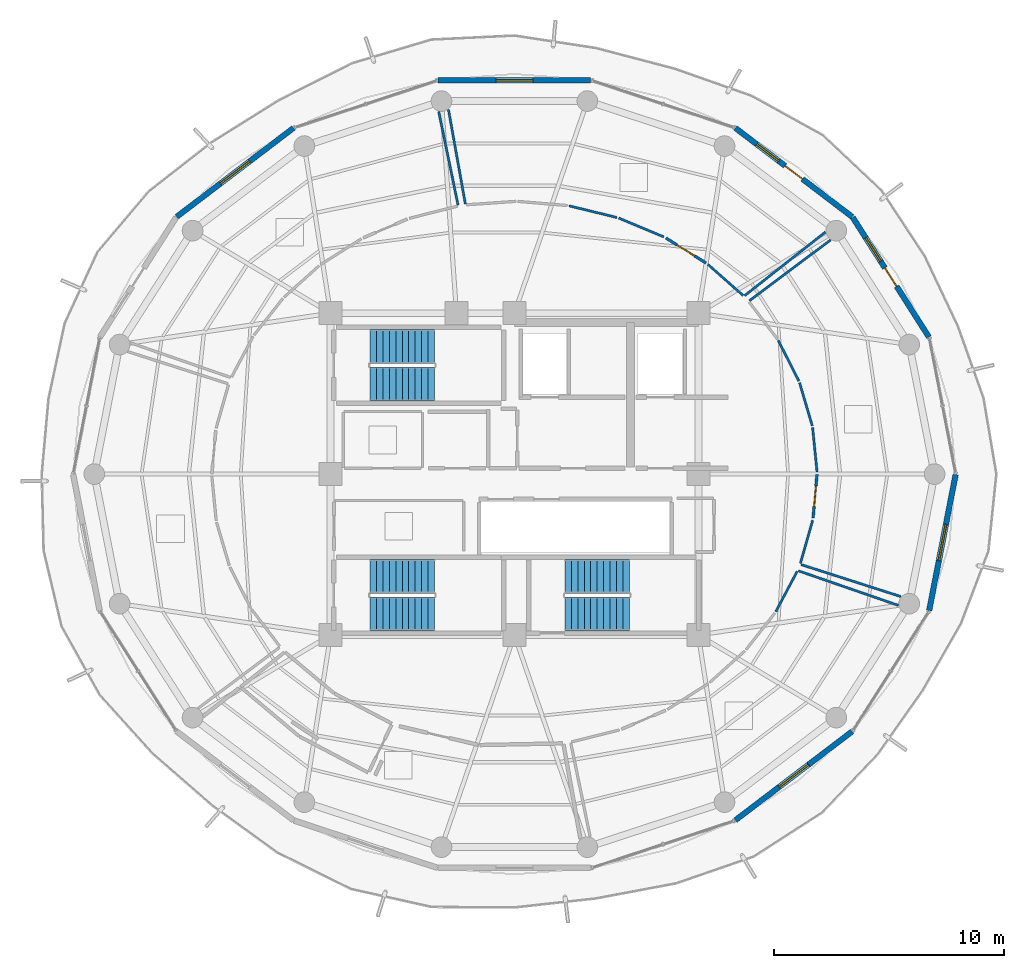
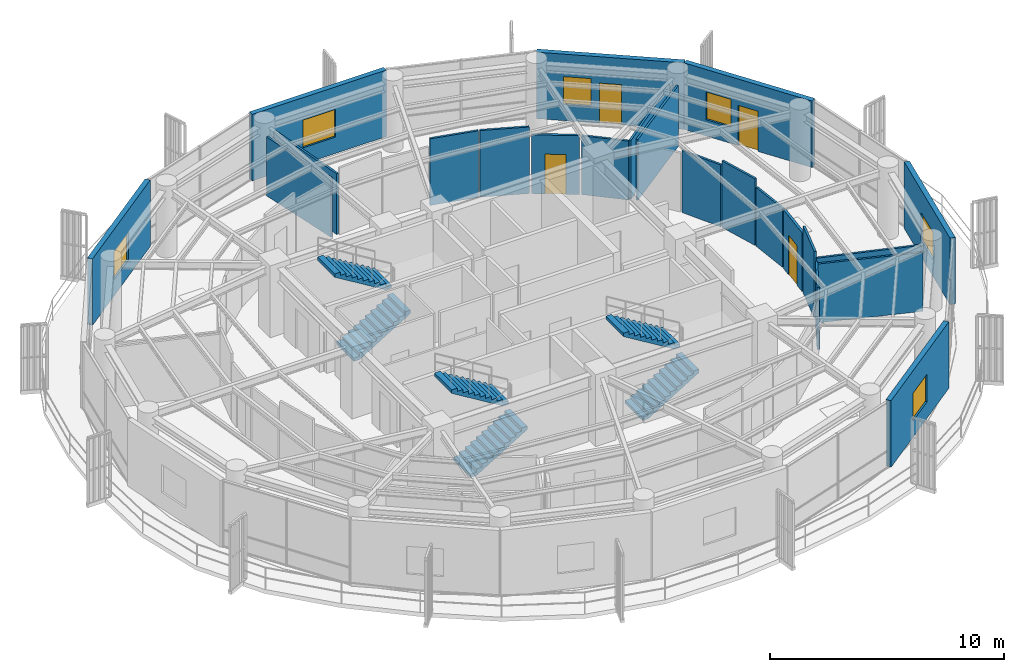
# One storey, part 18 of 23: 22 walls, 6 stair flights, 6 windows, 4 doors, 10 openings, 3 elements without a shape of their own.
"""IFC4 building model written with IfcOpenShell, lengths in metres."""

from ifc_helpers import new_model, si_unit, direction, frame, frame_2d, origin, place, context, subcontext, project, spatial, polyline, rectangle, outline, extrude, material, layer, layer_set, type_object, element, fill, aggregate, save


model = new_model("IFC4")

# Units and contexts
model_context = context("Model", 3, precision=1e-05, world=origin(), true_north=direction((0.0, 1.0)))
body_context = subcontext(model_context, "Body", "Model", "MODEL_VIEW")
ifc_project = project(units=[si_unit("LENGTHUNIT", "METRE"), si_unit("AREAUNIT", "SQUARE_METRE"), si_unit("VOLUMEUNIT", "CUBIC_METRE"), si_unit("PLANEANGLEUNIT", "RADIAN"), si_unit("MASSUNIT", "GRAM", prefix="KILO")], contexts=[model_context])

# Site, building, storey
site_placement = place(None, origin())
site = spatial("IfcSite", under=ifc_project, at=site_placement, CompositionType="ELEMENT")
building_placement = place(site_placement, origin())
building = spatial("IfcBuilding", under=site, at=building_placement, Name="Kelanora Arch Commons", CompositionType="ELEMENT")
storey_placement = place(building_placement, frame((0.0, 0.0, 282.449951171875)))
storey = spatial("IfcBuildingStorey", under=building, at=storey_placement, Name="L72", CompositionType="ELEMENT", Elevation=282.449951171875)

# Wall, openings, door, window
ifc_material_1 = material(Name="Precast concrete C40/50 upper-zone terracotta rainscreen", Category="masonry")
ifc_layer_1 = layer(ifc_material_1, 0.239990234375)
ifc_layer_set_1 = layer_set([ifc_layer_1], Name="Precast concrete C40/50 upper-zone terracotta rainscreen")
wall_type_1 = type_object("IfcWallType", Name="W-EXT-TC2", PredefinedType="SOLIDWALL", material=ifc_layer_set_1)
wall_1_placement = place(storey_placement, frame((92.033935546875, 63.9638671875, 0.0), z_axis=(0.0, 0.0, 1.0), x_axis=(-0.537271968456, 0.843409053728, 0.0)))
wall_1 = element("IfcWall", 1, at=wall_1_placement, inside=storey, type_object=wall_type_1, Name="Terracotta Exterior Wall L72-B01", PredefinedType="SOLIDWALL", context=body_context, shape_type="SweptSolid", body=[
    extrude(rectangle(XDim=6.175048828125, YDim=0.239990234375, at=frame_2d((3.08740234375, 0.0))), origin(), (0.0, 0.0, 1.0), 3.47509765625),
])
opening_1_placement = place(wall_1_placement, frame((2.613037109375, 0.0, 0.0)))
opening_1 = element("IfcOpeningElement", 2, at=opening_1_placement, cuts=wall_1, Name="Opening DB-01", PredefinedType="OPENING", context=body_context, shape_type="SweptSolid", body=[
    extrude(rectangle(XDim=0.949951171875, YDim=2.10009765625, at=frame_2d((0.47509765625, 1.050048828125))), frame((0.0, 0.1298828125, 0.0), z_axis=(0.0, -1.0, 0.0), x_axis=(1.0, 0.0, 0.0)), (0.0, 0.0, 1.0), 0.260009765625),
])
opening_2_placement = place(wall_1_placement, frame((3.9130859375, 0.0, 0.85009765625)))
opening_2 = element("IfcOpeningElement", 3, at=opening_2_placement, cuts=wall_1, Name="Opening WN-02", PredefinedType="OPENING", context=body_context, shape_type="SweptSolid", body=[
    extrude(rectangle(XDim=1.199951171875, YDim=1.449951171875, at=frame_2d((0.60009765625, 0.72509765625))), frame((0.0, 0.1298828125, 0.0), z_axis=(0.0, -1.0, 0.0), x_axis=(1.0, 0.0, 0.0)), (0.0, 0.0, 1.0), 0.260009765625),
])
ifc_material_2 = material(Name="Terracotta-aluminium thermally broken glazed balcony door", Category="masonry")
door_type_1 = type_object("IfcDoorType", Name="D-BAL-10", OperationType="NOTDEFINED", PredefinedType="DOOR", material=ifc_material_2)
door_1_placement = place(opening_1_placement, frame((0.949951171875, 0.0, 0.0), z_axis=(0.0, 0.0, 1.0), x_axis=(-1.0, 0.0, 0.0)))
door_1 = element("IfcDoor", 4, at=door_1_placement, inside=storey, type_object=door_type_1, Name="Wave Balcony Door L72-B01", OperationType="SINGLE_SWING_RIGHT", OverallHeight=2.10009765625, OverallWidth=0.949951171875, PredefinedType="DOOR", context=body_context, shape_type="SweptSolid", body=[
    extrude(rectangle(XDim=0.949951171875, YDim=2.10009765625, at=frame_2d((0.47509765625, 1.050048828125))), frame((0.0, 0.02490234375, 0.0), z_axis=(0.0, -1.0, 0.0), x_axis=(1.0, 0.0, 0.0)), (0.0, 0.0, 1.0), 0.050048828125),
])
fill(opening_1, door_1)
ifc_material_3 = material(Name="Terracotta-anodised aluminium frame with operable awning sash", Category="masonry")
window_type_1 = type_object("IfcWindowType", Name="WIN-CL-12", PartitioningType="SINGLE_PANEL", PredefinedType="WINDOW", material=ifc_material_3)
window_1_placement = place(opening_2_placement, origin())
window_1 = element("IfcWindow", 5, at=window_1_placement, inside=storey, type_object=window_type_1, Name="Co-Living Operable Window L72-B01", OverallHeight=1.449951171875, OverallWidth=1.199951171875, PartitioningType="SINGLE_PANEL", PredefinedType="WINDOW", context=body_context, shape_type="SweptSolid", body=[
    extrude(rectangle(XDim=1.199951171875, YDim=1.449951171875, at=frame_2d((0.60009765625, 0.72509765625))), frame((0.0, 0.030029296875, 0.0), z_axis=(0.0, -1.0, 0.0), x_axis=(1.0, 0.0, 0.0)), (0.0, 0.0, 1.0), 0.06005859375),
])
fill(opening_2, window_1)

wall_2_placement = place(storey_placement, frame((88.6962890625, 69.193603515625, 0.0), z_axis=(0.0, 0.0, 1.0), x_axis=(-0.796010444211, 0.605282886514, 0.0)))
wall_2 = element("IfcWall", 6, at=wall_2_placement, inside=storey, type_object=wall_type_1, Name="Terracotta Exterior Wall L72-B02", PredefinedType="SOLIDWALL", context=body_context, shape_type="SweptSolid", body=[
    extrude(rectangle(XDim=6.387451171875, YDim=0.239990234375, at=frame_2d((3.19384765625, 0.0))), origin(), (0.0, 0.0, 1.0), 3.47509765625),
])
opening_3_placement = place(wall_2_placement, frame((2.718994140625, 0.0, 0.0)))
opening_3 = element("IfcOpeningElement", 7, at=opening_3_placement, cuts=wall_2, Name="Opening DB-01", PredefinedType="OPENING", context=body_context, shape_type="SweptSolid", body=[
    extrude(rectangle(XDim=0.949951171875, YDim=2.10009765625, at=frame_2d((0.47509765625, 1.050048828125))), frame((0.0, 0.1298828125, 0.0), z_axis=(0.0, -1.0, 0.0), x_axis=(1.0, 0.0, 0.0)), (0.0, 0.0, 1.0), 0.260009765625),
])
opening_4_placement = place(wall_2_placement, frame((4.01904296875, 0.0, 0.85009765625)))
opening_4 = element("IfcOpeningElement", 8, at=opening_4_placement, cuts=wall_2, Name="Opening WN-02", PredefinedType="OPENING", context=body_context, shape_type="SweptSolid", body=[
    extrude(rectangle(XDim=1.199951171875, YDim=1.449951171875, at=frame_2d((0.60009765625, 0.72509765625))), frame((0.0, 0.1298828125, 0.0), z_axis=(0.0, -1.0, 0.0), x_axis=(1.0, 0.0, 0.0)), (0.0, 0.0, 1.0), 0.260009765625),
])
door_2_placement = place(opening_3_placement, frame((0.949951171875, 0.0, 0.0), z_axis=(0.0, 0.0, 1.0), x_axis=(-1.0, 0.0, 0.0)))
door_2 = element("IfcDoor", 9, at=door_2_placement, inside=storey, type_object=door_type_1, Name="Wave Balcony Door L72-B02", OperationType="SINGLE_SWING_LEFT", OverallHeight=2.10009765625, OverallWidth=0.949951171875, PredefinedType="DOOR", context=body_context, shape_type="SweptSolid", body=[
    extrude(rectangle(XDim=0.949951171875, YDim=2.10009765625, at=frame_2d((0.47509765625, 1.050048828125))), frame((0.0, 0.02490234375, 0.0), z_axis=(0.0, -1.0, 0.0), x_axis=(1.0, 0.0, 0.0)), (0.0, 0.0, 1.0), 0.050048828125),
])
fill(opening_3, door_2)
window_2_placement = place(opening_4_placement, origin())
window_2 = element("IfcWindow", 10, at=window_2_placement, inside=storey, type_object=window_type_1, Name="Co-Living Operable Window L72-B02", OverallHeight=1.449951171875, OverallWidth=1.199951171875, PartitioningType="SINGLE_PANEL", PredefinedType="WINDOW", context=body_context, shape_type="SweptSolid", body=[
    extrude(rectangle(XDim=1.199951171875, YDim=1.449951171875, at=frame_2d((0.60009765625, 0.72509765625))), frame((0.0, 0.030029296875, 0.0), z_axis=(0.0, -1.0, 0.0), x_axis=(1.0, 0.0, 0.0)), (0.0, 0.0, 1.0), 0.06005859375),
])
fill(opening_4, window_2)

# Wall, opening, window
wall_3_placement = place(storey_placement, frame((77.319091796875, 75.1357421875, 0.0), z_axis=(0.0, 0.0, 1.0), x_axis=(-1.0, 0.0, 0.0)))
wall_3 = element("IfcWall", 11, at=wall_3_placement, inside=storey, type_object=wall_type_1, Name="Terracotta Exterior Wall L72-B04", PredefinedType="SOLIDWALL", context=body_context, shape_type="SweptSolid", body=[
    extrude(rectangle(XDim=6.63818359375, YDim=0.239990234375, at=frame_2d((3.319091796875, 0.0))), origin(), (0.0, 0.0, 1.0), 3.47509765625),
])
opening_5_placement = place(wall_3_placement, frame((2.51904296875, 0.0, 0.85009765625)))
opening_5 = element("IfcOpeningElement", 12, at=opening_5_placement, cuts=wall_3, Name="Opening WN-01", PredefinedType="OPENING", context=body_context, shape_type="SweptSolid", body=[
    extrude(rectangle(XDim=1.60009765625, YDim=1.449951171875, at=frame_2d((0.800048828125, 0.72509765625))), frame((0.0, 0.1298828125, 0.0), z_axis=(0.0, -1.0, 0.0), x_axis=(1.0, 0.0, 0.0)), (0.0, 0.0, 1.0), 0.260009765625),
])
ifc_material_4 = material(Name="Terracotta-anodised aluminium frame with operable low-E glazing", Category="masonry")
window_type_2 = type_object("IfcWindowType", Name="WIN-CL-18", PartitioningType="DOUBLE_PANEL_VERTICAL", PredefinedType="WINDOW", material=ifc_material_4)
window_3_placement = place(opening_5_placement, origin())
window_3 = element("IfcWindow", 13, at=window_3_placement, inside=storey, type_object=window_type_2, Name="Co-Living Operable Window L72-B04", OverallHeight=1.449951171875, OverallWidth=1.60009765625, PartitioningType="SINGLE_PANEL", PredefinedType="WINDOW", context=body_context, shape_type="SweptSolid", body=[
    extrude(rectangle(XDim=1.60009765625, YDim=1.449951171875, at=frame_2d((0.800048828125, 0.72509765625))), frame((0.0, 0.030029296875, 0.0), z_axis=(0.0, -1.0, 0.0), x_axis=(1.0, 0.0, 0.0)), (0.0, 0.0, 1.0), 0.06005859375),
])
fill(opening_5, window_3)

wall_4_placement = place(storey_placement, frame((64.38818359375, 73.059814453125, 0.0), z_axis=(0.0, 0.0, 1.0), x_axis=(-0.796010444211, -0.605282886514, 0.0)))
wall_4 = element("IfcWall", 14, at=wall_4_placement, inside=storey, type_object=wall_type_1, Name="Terracotta Exterior Wall L72-B06", PredefinedType="SOLIDWALL", context=body_context, shape_type="SweptSolid", body=[
    extrude(rectangle(XDim=6.387451171875, YDim=0.239990234375, at=frame_2d((3.19384765625, 0.0))), origin(), (0.0, 0.0, 1.0), 3.47509765625),
])
opening_6_placement = place(wall_4_placement, frame((2.39404296875, 0.0, 0.85009765625)))
opening_6 = element("IfcOpeningElement", 15, at=opening_6_placement, cuts=wall_4, Name="Opening WN-01", PredefinedType="OPENING", context=body_context, shape_type="SweptSolid", body=[
    extrude(rectangle(XDim=1.60009765625, YDim=1.449951171875, at=frame_2d((0.800048828125, 0.72509765625))), frame((0.0, 0.1298828125, 0.0), z_axis=(0.0, -1.0, 0.0), x_axis=(1.0, 0.0, 0.0)), (0.0, 0.0, 1.0), 0.260009765625),
])
window_4_placement = place(opening_6_placement, origin())
window_4 = element("IfcWindow", 16, at=window_4_placement, inside=storey, type_object=window_type_2, Name="Co-Living Operable Window L72-B06", OverallHeight=1.449951171875, OverallWidth=1.60009765625, PartitioningType="SINGLE_PANEL", PredefinedType="WINDOW", context=body_context, shape_type="SweptSolid", body=[
    extrude(rectangle(XDim=1.60009765625, YDim=1.449951171875, at=frame_2d((0.800048828125, 0.72509765625))), frame((0.0, 0.030029296875, 0.0), z_axis=(0.0, -1.0, 0.0), x_axis=(1.0, 0.0, 0.0)), (0.0, 0.0, 1.0), 0.06005859375),
])
fill(opening_6, window_4)

wall_5_placement = place(storey_placement, frame((83.61181640625, 42.940185546875, 0.0), z_axis=(0.0, 0.0, 1.0), x_axis=(0.796010444211, 0.605282886514, 0.0)))
wall_5 = element("IfcWall", 17, at=wall_5_placement, inside=storey, type_object=wall_type_1, Name="Terracotta Exterior Wall L72-B15", PredefinedType="SOLIDWALL", context=body_context, shape_type="SweptSolid", body=[
    extrude(rectangle(XDim=6.387451171875, YDim=0.239990234375, at=frame_2d((3.19384765625, 0.0))), origin(), (0.0, 0.0, 1.0), 3.47509765625),
])
opening_7_placement = place(wall_5_placement, frame((2.39404296875, 0.0, 0.85009765625)))
opening_7 = element("IfcOpeningElement", 18, at=opening_7_placement, cuts=wall_5, Name="Opening WN-01", PredefinedType="OPENING", context=body_context, shape_type="SweptSolid", body=[
    extrude(rectangle(XDim=1.60009765625, YDim=1.449951171875, at=frame_2d((0.800048828125, 0.72509765625))), frame((0.0, 0.1298828125, 0.0), z_axis=(0.0, -1.0, 0.0), x_axis=(1.0, 0.0, 0.0)), (0.0, 0.0, 1.0), 0.260009765625),
])
window_5_placement = place(opening_7_placement, origin())
window_5 = element("IfcWindow", 19, at=window_5_placement, inside=storey, type_object=window_type_2, Name="Co-Living Operable Window L72-B15", OverallHeight=1.449951171875, OverallWidth=1.60009765625, PartitioningType="SINGLE_PANEL", PredefinedType="WINDOW", context=body_context, shape_type="SweptSolid", body=[
    extrude(rectangle(XDim=1.60009765625, YDim=1.449951171875, at=frame_2d((0.800048828125, 0.72509765625))), frame((0.0, 0.030029296875, 0.0), z_axis=(0.0, -1.0, 0.0), x_axis=(1.0, 0.0, 0.0)), (0.0, 0.0, 1.0), 0.06005859375),
])
fill(opening_7, window_5)

wall_6_placement = place(storey_placement, frame((92.044921875, 52.0634765625, 0.0), z_axis=(0.0, 0.0, 1.0), x_axis=(0.190969309115, 0.981596008028, 0.0)))
wall_6 = element("IfcWall", 20, at=wall_6_placement, inside=storey, type_object=wall_type_1, Name="Terracotta Exterior Wall L72-B17", PredefinedType="SOLIDWALL", context=body_context, shape_type="SweptSolid", body=[
    extrude(rectangle(XDim=6.032958984375, YDim=0.239990234375, at=frame_2d((3.0166015625, 0.0))), origin(), (0.0, 0.0, 1.0), 3.47509765625),
])
opening_8_placement = place(wall_6_placement, frame((2.216064453125, 0.0, 0.85009765625)))
opening_8 = element("IfcOpeningElement", 21, at=opening_8_placement, cuts=wall_6, Name="Opening WN-01", PredefinedType="OPENING", context=body_context, shape_type="SweptSolid", body=[
    extrude(rectangle(XDim=1.60009765625, YDim=1.449951171875, at=frame_2d((0.800048828125, 0.72509765625))), frame((0.0, 0.1298828125, 0.0), z_axis=(0.0, -1.0, 0.0), x_axis=(1.0, 0.0, 0.0)), (0.0, 0.0, 1.0), 0.260009765625),
])
window_6_placement = place(opening_8_placement, origin())
window_6 = element("IfcWindow", 22, at=window_6_placement, inside=storey, type_object=window_type_2, Name="Co-Living Operable Window L72-B17", OverallHeight=1.449951171875, OverallWidth=1.60009765625, PartitioningType="SINGLE_PANEL", PredefinedType="WINDOW", context=body_context, shape_type="SweptSolid", body=[
    extrude(rectangle(XDim=1.60009765625, YDim=1.449951171875, at=frame_2d((0.800048828125, 0.72509765625))), frame((0.0, 0.030029296875, 0.0), z_axis=(0.0, -1.0, 0.0), x_axis=(1.0, 0.0, 0.0)), (0.0, 0.0, 1.0), 0.06005859375),
])
fill(opening_8, window_6)

# Walls
ifc_material_5 = material(Name="Lightweight fire-rated acoustic stud partition")
ifc_layer_2 = layer(ifc_material_5, 0.10009765625)
ifc_layer_set_2 = layer_set([ifc_layer_2], Name="Lightweight fire-rated acoustic stud partition")
wall_type_2 = type_object("IfcWallType", Name="W-PART-100", PredefinedType="PARTITIONING", material=ifc_layer_set_2)
wall_7_placement = place(storey_placement, frame((70.706787109375, 73.769775390625, 0.0), z_axis=(0.0, 0.0, 1.0), x_axis=(0.202308141573, -0.979321916355, 0.0)))
element("IfcWall", 23, at=wall_7_placement, inside=storey, type_object=wall_type_2, Name="Communal Dining and Social Hall L72-01 Enclosure Partition 14", PredefinedType="PARTITIONING", context=body_context, shape_type="SweptSolid", body=[
    extrude(rectangle(XDim=4.152587890625, YDim=0.10009765625, at=frame_2d((2.076171875, 0.0))), origin(), (0.0, 0.0, 1.0), 3.074951171875),
])
wall_8_placement = place(storey_placement, frame((85.370849609375, 52.016357421875, 0.0), z_axis=(0.0, 0.0, 1.0), x_axis=(0.468933294906, 0.883233584579, 0.0)))
element("IfcWall", 24, at=wall_8_placement, inside=storey, type_object=wall_type_2, Name="Quiet Seminar Study Room L72-04 Enclosure Partition 6", PredefinedType="PARTITIONING", context=body_context, shape_type="SweptSolid", body=[
    extrude(rectangle(XDim=1.984130859375, YDim=0.10009765625, at=frame_2d((0.9921875, 0.0))), origin(), (0.0, 0.0, 1.0), 3.235107421875),
])
wall_9_placement = place(storey_placement, frame((86.35791015625, 53.791015625, 0.0), z_axis=(0.0, 0.0, 1.0), x_axis=(0.945103281494, -0.326771766388, 0.0)))
element("IfcWall", 25, at=wall_9_placement, inside=storey, type_object=wall_type_2, Name="Quiet Seminar Study Room L72-04 Enclosure Partition 7", PredefinedType="PARTITIONING", context=body_context, shape_type="SweptSolid", body=[
    extrude(rectangle(XDim=4.603759765625, YDim=0.10009765625, at=frame_2d((2.3017578125, 0.0))), origin(), (0.0, 0.0, 1.0), 3.074951171875),
])
wall_10_placement = place(storey_placement, frame((86.44091796875, 54.115478515625, 0.0), z_axis=(0.0, 0.0, 1.0), x_axis=(0.274226302341, 0.961665188673, 0.0)))
element("IfcWall", 26, at=wall_10_placement, inside=storey, type_object=wall_type_2, Name="Communal Dining and Social Hall L72-05 Enclosure Partition 1", PredefinedType="PARTITIONING", context=body_context, shape_type="SweptSolid", body=[
    extrude(rectangle(XDim=1.955078125, YDim=0.10009765625, at=frame_2d((0.9775390625, 0.0))), origin(), (0.0, 0.0, 1.0), 3.47998046875),
])
wall_11_placement = place(storey_placement, frame((87.166015625, 58.087890625, 0.0), z_axis=(0.0, 0.0, 1.0), x_axis=(-0.098769631998, 0.995110325439, 0.0)))
element("IfcWall", 27, at=wall_11_placement, inside=storey, type_object=wall_type_2, Name="Communal Dining and Social Hall L72-05 Enclosure Partition 3", PredefinedType="PARTITIONING", context=body_context, shape_type="SweptSolid", body=[
    extrude(rectangle(XDim=1.94287109375, YDim=0.10009765625, at=frame_2d((0.971435546875, 0.0))), origin(), (0.0, 0.0, 1.0), 3.074951171875),
])
wall_12_placement = place(storey_placement, frame((86.958740234375, 60.099365234375, 0.0), z_axis=(0.0, 0.0, 1.0), x_axis=(-0.28293653612, 0.959138632591, 0.0)))
element("IfcWall", 28, at=wall_12_placement, inside=storey, type_object=wall_type_2, Name="Communal Dining and Social Hall L72-05 Enclosure Partition 4", PredefinedType="PARTITIONING", context=body_context, shape_type="SweptSolid", body=[
    extrude(rectangle(XDim=1.9560546875, YDim=0.10009765625, at=frame_2d((0.97802734375, 0.0))), origin(), (0.0, 0.0, 1.0), 3.47998046875),
])
wall_13_placement = place(storey_placement, frame((86.3759765625, 62.049560546875, 0.0), z_axis=(0.0, 0.0, 1.0), x_axis=(-0.453658133306, 0.891175795276, 0.0)))
element("IfcWall", 29, at=wall_13_placement, inside=storey, type_object=wall_type_2, Name="Communal Dining and Social Hall L72-05 Enclosure Partition 5", PredefinedType="PARTITIONING", context=body_context, shape_type="SweptSolid", body=[
    extrude(rectangle(XDim=1.9814453125, YDim=0.10009765625, at=frame_2d((0.99072265625, 0.0))), origin(), (0.0, 0.0, 1.0), 3.235107421875),
])
wall_14_placement = place(storey_placement, frame((84.222900390625, 65.5419921875, 0.0), z_axis=(0.0, 0.0, 1.0), x_axis=(0.800384816546, 0.599486568191, 0.0)))
element("IfcWall", 30, at=wall_14_placement, inside=storey, type_object=wall_type_2, Name="Communal Dining and Social Hall L72-05 Enclosure Partition 7", PredefinedType="PARTITIONING", context=body_context, shape_type="SweptSolid", body=[
    extrude(rectangle(XDim=4.413818359375, YDim=0.10009765625, at=frame_2d((2.20703125, 0.0))), origin(), (0.0, 0.0, 1.0), 3.175048828125),
])
wall_15_placement = place(storey_placement, frame((90.815673828125, 52.671142578125, 0.0), z_axis=(0.0, 0.0, 1.0), x_axis=(-0.95227750557, 0.305233602976, 0.0)))
element("IfcWall", 31, at=wall_15_placement, inside=storey, type_object=wall_type_2, Name="Communal Dining and Social Hall L72-05 Enclosure Partition 14", PredefinedType="PARTITIONING", context=body_context, shape_type="SweptSolid", body=[
    extrude(rectangle(XDim=4.5654296875, YDim=0.10009765625, at=frame_2d((2.28271484375, 0.0))), origin(), (0.0, 0.0, 1.0), 3.175048828125),
])
wall_16_placement = place(storey_placement, frame((83.955078125, 65.7666015625, 0.0), z_axis=(0.0, 0.0, 1.0), x_axis=(-0.749539941976, 0.661959119117, 0.0)))
element("IfcWall", 32, at=wall_16_placement, inside=storey, type_object=wall_type_2, Name="Social Sky Lounge L72-06 Enclosure Partition 1", PredefinedType="PARTITIONING", context=body_context, shape_type="SweptSolid", body=[
    extrude(rectangle(XDim=2.057373046875, YDim=0.10009765625, at=frame_2d((1.02880859375, 0.0))), origin(), (0.0, 0.0, 1.0), 3.074951171875),
])
wall_17_placement = place(storey_placement, frame((80.501220703125, 68.3193359375, 0.0), z_axis=(0.0, 0.0, 1.0), x_axis=(-0.922644563927, 0.385651408213, 0.0)))
element("IfcWall", 33, at=wall_17_placement, inside=storey, type_object=wall_type_2, Name="Social Sky Lounge L72-06 Enclosure Partition 3", PredefinedType="PARTITIONING", context=body_context, shape_type="SweptSolid", body=[
    extrude(rectangle(XDim=2.12451171875, YDim=0.10009765625, at=frame_2d((1.062255859375, 0.0))), origin(), (0.0, 0.0, 1.0), 3.47998046875),
])
wall_18_placement = place(storey_placement, frame((78.465087890625, 69.16357421875, 0.0), z_axis=(0.0, 0.0, 1.0), x_axis=(-0.971628772742, 0.236511158257, 0.0)))
element("IfcWall", 34, at=wall_18_placement, inside=storey, type_object=wall_type_2, Name="Social Sky Lounge L72-06 Enclosure Partition 4", PredefinedType="PARTITIONING", context=body_context, shape_type="SweptSolid", body=[
    extrude(rectangle(XDim=2.147216796875, YDim=0.10009765625, at=frame_2d((1.07373046875, 0.0))), origin(), (0.0, 0.0, 1.0), 3.47998046875),
])
wall_19_placement = place(storey_placement, frame((71.864990234375, 69.75341796875, 0.0), z_axis=(0.0, 0.0, 1.0), x_axis=(-0.176199339585, 0.984354505618, 0.0)))
element("IfcWall", 35, at=wall_19_placement, inside=storey, type_object=wall_type_2, Name="Social Sky Lounge L72-06 Enclosure Partition 7", PredefinedType="PARTITIONING", context=body_context, shape_type="SweptSolid", body=[
    extrude(rectangle(XDim=4.17626953125, YDim=0.10009765625, at=frame_2d((2.088134765625, 0.0))), origin(), (0.0, 0.0, 1.0), 3.175048828125),
])
wall_20_placement = place(storey_placement, frame((87.5322265625, 68.532470703125, 0.0), z_axis=(0.0, 0.0, 1.0), x_axis=(-0.785736749878, -0.618561039745, 0.0)))
element("IfcWall", 36, at=wall_20_placement, inside=storey, type_object=wall_type_2, Name="Social Sky Lounge L72-06 Enclosure Partition 14", PredefinedType="PARTITIONING", context=body_context, shape_type="SweptSolid", body=[
    extrude(rectangle(XDim=4.474609375, YDim=0.10009765625, at=frame_2d((2.2373046875, 0.0))), origin(), (0.0, 0.0, 1.0), 3.074951171875),
])

# Wall, opening, door
ifc_material_6 = material(Name="Acoustic twin-stud fire-rated gypsum partition")
ifc_layer_3 = layer(ifc_material_6, 0.1201171875)
ifc_layer_set_3 = layer_set([ifc_layer_3], Name="Acoustic twin-stud fire-rated gypsum partition")
wall_type_3 = type_object("IfcWallType", Name="W-PART-120", PredefinedType="PARTITIONING", material=ifc_layer_set_3)
wall_21_placement = place(storey_placement, frame((86.993408203125, 56.09375, 0.0), z_axis=(0.0, 0.0, 1.0), x_axis=(0.089968706127, 0.995944592795, 0.0)))
wall_21 = element("IfcWall", 37, at=wall_21_placement, inside=storey, type_object=wall_type_3, Name="Communal Dining and Social Hall L72-05 Entry Partition", PredefinedType="PARTITIONING", context=body_context, shape_type="SweptSolid", body=[
    extrude(rectangle(XDim=1.90234375, YDim=0.1201171875, at=frame_2d((0.951171875, 0.0))), origin(), (0.0, 0.0, 1.0), 3.074951171875),
])
opening_9_placement = place(wall_21_placement, frame((0.5009765625, 0.0, 0.0)))
opening_9 = element("IfcOpeningElement", 38, at=opening_9_placement, cuts=wall_21, Name="Opening D-RM1", PredefinedType="OPENING", context=body_context, shape_type="SweptSolid", body=[
    extrude(rectangle(XDim=0.89990234375, YDim=2.080078125, at=frame_2d((0.449951171875, 1.0400390625))), frame((0.0, 0.070068359375, 0.0), z_axis=(0.0, -1.0, 0.0), x_axis=(1.0, 0.0, 0.0)), (0.0, 0.0, 1.0), 0.14013671875),
])
ifc_material_7 = material(Name="Acoustic fire-rated timber study and lounge door", Category="wood")
door_type_2 = type_object("IfcDoorType", Name="D-ROOM-90", OperationType="NOTDEFINED", PredefinedType="DOOR", material=ifc_material_7)
door_3_placement = place(opening_9_placement, origin())
door_3 = element("IfcDoor", 39, at=door_3_placement, inside=storey, type_object=door_type_2, Name="Communal Dining and Social Hall L72-05 Door", OperationType="SINGLE_SWING_RIGHT", OverallHeight=2.080078125, OverallWidth=0.89990234375, PredefinedType="DOOR", context=body_context, shape_type="SweptSolid", body=[
    extrude(rectangle(XDim=0.89990234375, YDim=2.080078125, at=frame_2d((0.449951171875, 1.0400390625))), frame((0.0, 0.02490234375, 0.0), z_axis=(0.0, -1.0, 0.0), x_axis=(1.0, 0.0, 0.0)), (0.0, 0.0, 1.0), 0.050048828125),
])
fill(opening_9, door_3)

wall_22_placement = place(storey_placement, frame((82.33203125, 67.186767578125, 0.0), z_axis=(0.0, 0.0, 1.0), x_axis=(-0.848878791214, 0.528587549823, 0.0)))
wall_22 = element("IfcWall", 40, at=wall_22_placement, inside=storey, type_object=wall_type_3, Name="Social Sky Lounge L72-06 Entry Partition", PredefinedType="PARTITIONING", context=body_context, shape_type="SweptSolid", body=[
    extrude(rectangle(XDim=2.053466796875, YDim=0.1201171875, at=frame_2d((1.02685546875, 0.0))), origin(), (0.0, 0.0, 1.0), 3.074951171875),
])
opening_10_placement = place(wall_22_placement, frame((0.576904296875, 0.0, 0.0)))
opening_10 = element("IfcOpeningElement", 41, at=opening_10_placement, cuts=wall_22, Name="Opening D-RM1", PredefinedType="OPENING", context=body_context, shape_type="SweptSolid", body=[
    extrude(rectangle(XDim=0.89990234375, YDim=2.080078125, at=frame_2d((0.449951171875, 1.0400390625))), frame((0.0, 0.070068359375, 0.0), z_axis=(0.0, -1.0, 0.0), x_axis=(1.0, 0.0, 0.0)), (0.0, 0.0, 1.0), 0.14013671875),
])
door_4_placement = place(opening_10_placement, origin())
door_4 = element("IfcDoor", 42, at=door_4_placement, inside=storey, type_object=door_type_2, Name="Social Sky Lounge L72-06 Door", OperationType="SINGLE_SWING_LEFT", OverallHeight=2.080078125, OverallWidth=0.89990234375, PredefinedType="DOOR", context=body_context, shape_type="SweptSolid", body=[
    extrude(rectangle(XDim=0.89990234375, YDim=2.080078125, at=frame_2d((0.449951171875, 1.0400390625))), frame((0.0, 0.02490234375, 0.0), z_axis=(0.0, -1.0, 0.0), x_axis=(1.0, 0.0, 0.0)), (0.0, 0.0, 1.0), 0.050048828125),
])
fill(opening_10, door_4)

# Stair, stair flights
ifc_material_8 = material(Name="Concrete C40/50", Category="concrete")
stair_type = type_object("IfcStairType", Name="STR-DL-375", PredefinedType="HALF_TURN_STAIR", material=ifc_material_8)
stair_1_placement = place(storey_placement, origin())
stair_1 = element("IfcStair", 43, at=stair_1_placement, inside=storey, type_object=stair_type, Name="L72 ST-T1", PredefinedType="HALF_TURN_STAIR")
stair_flight_type = type_object("IfcStairFlightType", Name="FLT-DL-375", PredefinedType="STRAIGHT", material=ifc_material_8)
stair_flight_1_placement = place(storey_placement, frame((67.719970703125, 61.919921875, 0.0), z_axis=(0.0, 0.0, 1.0), x_axis=(1.0, 0.0, 0.0)))
stair_flight_1 = element("IfcStairFlight", 44, at=stair_flight_1_placement, type_object=stair_flight_type, Name="ST-T1 flight 1", NumberOfRisers=11, NumberOfTreads=10, PredefinedType="STRAIGHT", RiserHeight=0.170454545, TreadLength=0.28, context=body_context, shape_type="SweptSolid", body=[
    extrude(outline(polyline([(0.0, 0.0), (0.0, 0.17041015625), (0.280029296875, 0.17041015625), (0.280029296875, 0.3408203125), (0.56005859375, 0.3408203125), (0.56005859375, 0.511474609375), (0.840087890625, 0.511474609375), (0.840087890625, 0.681884765625), (1.1201171875, 0.681884765625), (1.1201171875, 0.852294921875), (1.39990234375, 0.852294921875), (1.39990234375, 1.022705078125), (1.679931640625, 1.022705078125), (1.679931640625, 1.193115234375), (1.9599609375, 1.193115234375), (1.9599609375, 1.363525390625), (2.239990234375, 1.363525390625), (2.239990234375, 1.5341796875), (2.52001953125, 1.5341796875), (2.52001953125, 1.70458984375), (2.800048828125, 1.70458984375), (2.800048828125, 1.875), (2.800048828125, 1.529052734375), (0.288330078125, 0.0), (0.0, 0.0)])), frame((0.0, 0.739990234375, 0.0), z_axis=(0.0, -1.0, 0.0), x_axis=(1.0, 0.0, 0.0)), (0.0, 0.0, 1.0), 1.47998046875),
])
stair_flight_2_placement = place(storey_placement, frame((70.52001953125, 63.550048828125, 1.875), z_axis=(0.0, 0.0, 1.0), x_axis=(-1.0, 0.0, 0.0)))
stair_flight_2 = element("IfcStairFlight", 45, at=stair_flight_2_placement, type_object=stair_flight_type, Name="ST-T1 flight 2", NumberOfRisers=11, NumberOfTreads=10, PredefinedType="STRAIGHT", RiserHeight=0.170454545, TreadLength=0.28, context=body_context, shape_type="SweptSolid", body=[
    extrude(outline(polyline([(0.0, 0.0), (0.0, 0.17041015625), (0.280029296875, 0.17041015625), (0.280029296875, 0.3408203125), (0.56005859375, 0.3408203125), (0.56005859375, 0.511474609375), (0.840087890625, 0.511474609375), (0.840087890625, 0.681884765625), (1.1201171875, 0.681884765625), (1.1201171875, 0.852294921875), (1.39990234375, 0.852294921875), (1.39990234375, 1.022705078125), (1.679931640625, 1.022705078125), (1.679931640625, 1.193115234375), (1.9599609375, 1.193115234375), (1.9599609375, 1.363525390625), (2.239990234375, 1.363525390625), (2.239990234375, 1.5341796875), (2.52001953125, 1.5341796875), (2.52001953125, 1.70458984375), (2.800048828125, 1.70458984375), (2.800048828125, 1.875), (2.800048828125, 1.529052734375), (0.288330078125, 0.0), (0.0, 0.0)])), frame((0.0, 0.739990234375, 0.0), z_axis=(0.0, -1.0, 0.0), x_axis=(1.0, 0.0, 0.0)), (0.0, 0.0, 1.0), 1.47998046875),
])
aggregate(stair_1, [stair_flight_1, stair_flight_2])

stair_2_placement = place(storey_placement, origin())
stair_2 = element("IfcStair", 46, at=stair_2_placement, inside=storey, type_object=stair_type, Name="L72 ST-T2", PredefinedType="HALF_TURN_STAIR")
stair_flight_3_placement = place(storey_placement, frame((76.199951171875, 51.919921875, 0.0), z_axis=(0.0, 0.0, 1.0), x_axis=(1.0, 0.0, 0.0)))
stair_flight_3 = element("IfcStairFlight", 47, at=stair_flight_3_placement, type_object=stair_flight_type, Name="ST-T2 flight 1", NumberOfRisers=11, NumberOfTreads=10, PredefinedType="STRAIGHT", RiserHeight=0.170454545, TreadLength=0.28, context=body_context, shape_type="SweptSolid", body=[
    extrude(outline(polyline([(0.0, 0.0), (0.0, 0.17041015625), (0.280029296875, 0.17041015625), (0.280029296875, 0.3408203125), (0.56005859375, 0.3408203125), (0.56005859375, 0.511474609375), (0.840087890625, 0.511474609375), (0.840087890625, 0.681884765625), (1.1201171875, 0.681884765625), (1.1201171875, 0.852294921875), (1.39990234375, 0.852294921875), (1.39990234375, 1.022705078125), (1.679931640625, 1.022705078125), (1.679931640625, 1.193115234375), (1.9599609375, 1.193115234375), (1.9599609375, 1.363525390625), (2.239990234375, 1.363525390625), (2.239990234375, 1.5341796875), (2.52001953125, 1.5341796875), (2.52001953125, 1.70458984375), (2.800048828125, 1.70458984375), (2.800048828125, 1.875), (2.800048828125, 1.529052734375), (0.288330078125, 0.0), (0.0, 0.0)])), frame((0.0, 0.739990234375, 0.0), z_axis=(0.0, -1.0, 0.0), x_axis=(1.0, 0.0, 0.0)), (0.0, 0.0, 1.0), 1.47998046875),
])
stair_flight_4_placement = place(storey_placement, frame((79.0, 53.550048828125, 1.875), z_axis=(0.0, 0.0, 1.0), x_axis=(-1.0, 0.0, 0.0)))
stair_flight_4 = element("IfcStairFlight", 48, at=stair_flight_4_placement, type_object=stair_flight_type, Name="ST-T2 flight 2", NumberOfRisers=11, NumberOfTreads=10, PredefinedType="STRAIGHT", RiserHeight=0.170454545, TreadLength=0.28, context=body_context, shape_type="SweptSolid", body=[
    extrude(outline(polyline([(0.0, 0.0), (0.0, 0.17041015625), (0.280029296875, 0.17041015625), (0.280029296875, 0.3408203125), (0.56005859375, 0.3408203125), (0.56005859375, 0.511474609375), (0.840087890625, 0.511474609375), (0.840087890625, 0.681884765625), (1.1201171875, 0.681884765625), (1.1201171875, 0.852294921875), (1.39990234375, 0.852294921875), (1.39990234375, 1.022705078125), (1.679931640625, 1.022705078125), (1.679931640625, 1.193115234375), (1.9599609375, 1.193115234375), (1.9599609375, 1.363525390625), (2.239990234375, 1.363525390625), (2.239990234375, 1.5341796875), (2.52001953125, 1.5341796875), (2.52001953125, 1.70458984375), (2.800048828125, 1.70458984375), (2.800048828125, 1.875), (2.800048828125, 1.529052734375), (0.288330078125, 0.0), (0.0, 0.0)])), frame((0.0, 0.739990234375, 0.0), z_axis=(0.0, -1.0, 0.0), x_axis=(1.0, 0.0, 0.0)), (0.0, 0.0, 1.0), 1.47998046875),
])
aggregate(stair_2, [stair_flight_3, stair_flight_4])

stair_3_placement = place(storey_placement, origin())
stair_3 = element("IfcStair", 49, at=stair_3_placement, inside=storey, type_object=stair_type, Name="L72 ST-T3", PredefinedType="HALF_TURN_STAIR")
stair_flight_5_placement = place(storey_placement, frame((67.719970703125, 51.919921875, 0.0), z_axis=(0.0, 0.0, 1.0), x_axis=(1.0, 0.0, 0.0)))
stair_flight_5 = element("IfcStairFlight", 50, at=stair_flight_5_placement, type_object=stair_flight_type, Name="ST-T3 flight 1", NumberOfRisers=11, NumberOfTreads=10, PredefinedType="STRAIGHT", RiserHeight=0.170454545, TreadLength=0.28, context=body_context, shape_type="SweptSolid", body=[
    extrude(outline(polyline([(0.0, 0.0), (0.0, 0.17041015625), (0.280029296875, 0.17041015625), (0.280029296875, 0.3408203125), (0.56005859375, 0.3408203125), (0.56005859375, 0.511474609375), (0.840087890625, 0.511474609375), (0.840087890625, 0.681884765625), (1.1201171875, 0.681884765625), (1.1201171875, 0.852294921875), (1.39990234375, 0.852294921875), (1.39990234375, 1.022705078125), (1.679931640625, 1.022705078125), (1.679931640625, 1.193115234375), (1.9599609375, 1.193115234375), (1.9599609375, 1.363525390625), (2.239990234375, 1.363525390625), (2.239990234375, 1.5341796875), (2.52001953125, 1.5341796875), (2.52001953125, 1.70458984375), (2.800048828125, 1.70458984375), (2.800048828125, 1.875), (2.800048828125, 1.529052734375), (0.288330078125, 0.0), (0.0, 0.0)])), frame((0.0, 0.739990234375, 0.0), z_axis=(0.0, -1.0, 0.0), x_axis=(1.0, 0.0, 0.0)), (0.0, 0.0, 1.0), 1.47998046875),
])
stair_flight_6_placement = place(storey_placement, frame((70.52001953125, 53.550048828125, 1.875), z_axis=(0.0, 0.0, 1.0), x_axis=(-1.0, 0.0, 0.0)))
stair_flight_6 = element("IfcStairFlight", 51, at=stair_flight_6_placement, type_object=stair_flight_type, Name="ST-T3 flight 2", NumberOfRisers=11, NumberOfTreads=10, PredefinedType="STRAIGHT", RiserHeight=0.170454545, TreadLength=0.28, context=body_context, shape_type="SweptSolid", body=[
    extrude(outline(polyline([(0.0, 0.0), (0.0, 0.17041015625), (0.280029296875, 0.17041015625), (0.280029296875, 0.3408203125), (0.56005859375, 0.3408203125), (0.56005859375, 0.511474609375), (0.840087890625, 0.511474609375), (0.840087890625, 0.681884765625), (1.1201171875, 0.681884765625), (1.1201171875, 0.852294921875), (1.39990234375, 0.852294921875), (1.39990234375, 1.022705078125), (1.679931640625, 1.022705078125), (1.679931640625, 1.193115234375), (1.9599609375, 1.193115234375), (1.9599609375, 1.363525390625), (2.239990234375, 1.363525390625), (2.239990234375, 1.5341796875), (2.52001953125, 1.5341796875), (2.52001953125, 1.70458984375), (2.800048828125, 1.70458984375), (2.800048828125, 1.875), (2.800048828125, 1.529052734375), (0.288330078125, 0.0), (0.0, 0.0)])), frame((0.0, 0.739990234375, 0.0), z_axis=(0.0, -1.0, 0.0), x_axis=(1.0, 0.0, 0.0)), (0.0, 0.0, 1.0), 1.47998046875),
])
aggregate(stair_3, [stair_flight_5, stair_flight_6])

save(model, "model.ifc")
